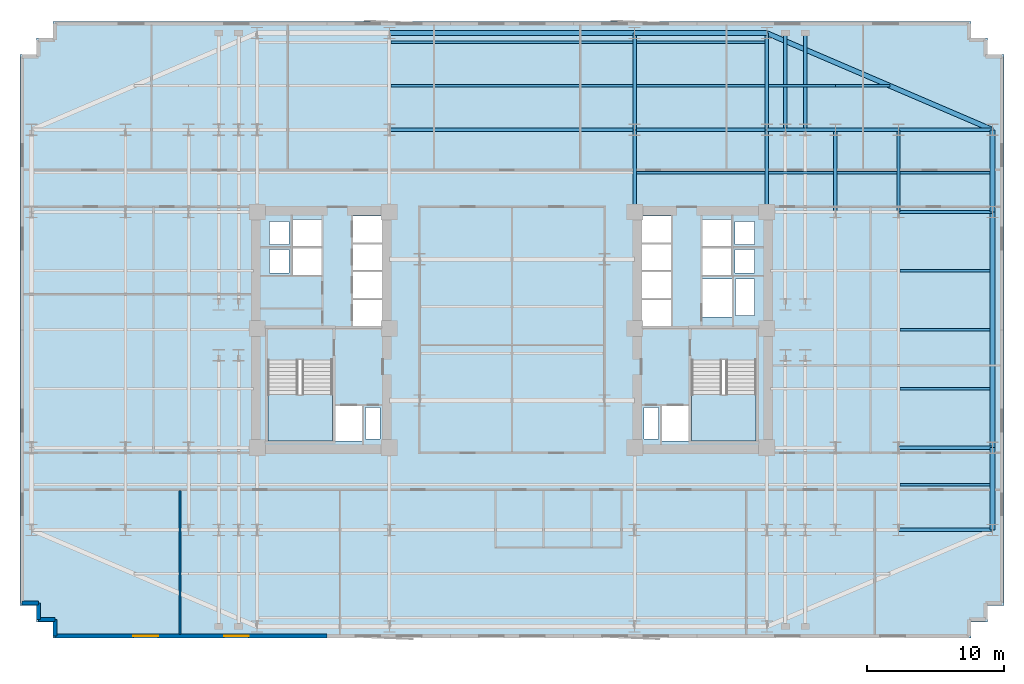
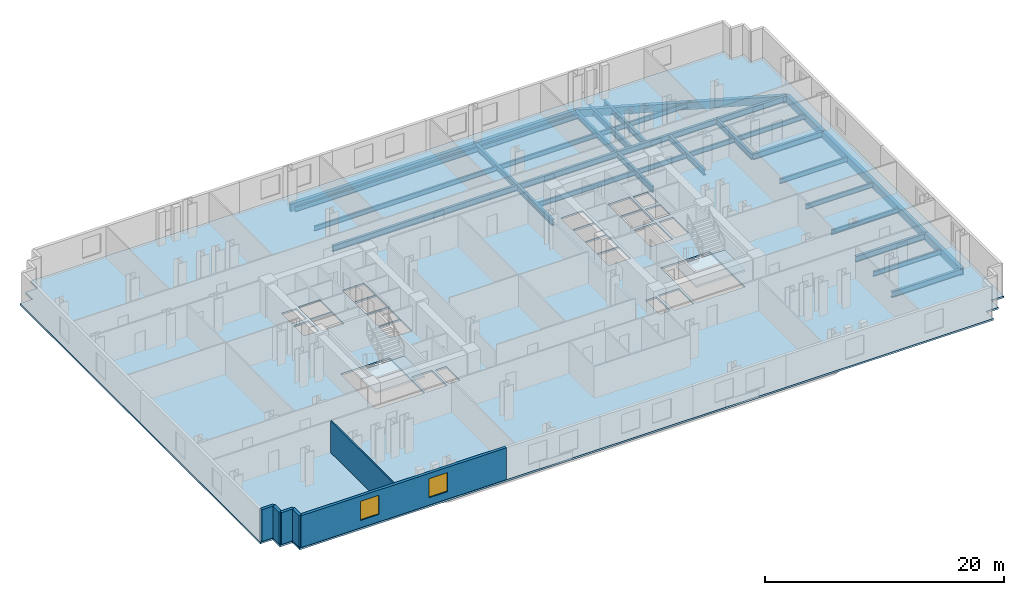
# One storey, part 3 of 10: 36 beams, 6 walls, 3 slabs, 2 windows, 2 openings, 2 elements without a shape of their own.
"""IFC4 building model written with IfcOpenShell, lengths in metres."""

from ifc_helpers import new_model, si_unit, direction, frame, frame_2d, origin, origin_2d, place, context, subcontext, project, spatial, polyline, rectangle, i_section, outline, extrude, material, layer, layer_set, material_profile, profile_set, type_object, element, fill, aggregate, save


model = new_model("IFC4")

# Units and contexts
model_context = context("Model", 3, precision=1e-05, world=origin(), true_north=direction((0.0, 1.0)))
body_context = subcontext(model_context, "Body", "Model", "MODEL_VIEW")
ifc_project = project(units=[si_unit("LENGTHUNIT", "METRE"), si_unit("AREAUNIT", "SQUARE_METRE"), si_unit("VOLUMEUNIT", "CUBIC_METRE"), si_unit("PLANEANGLEUNIT", "RADIAN"), si_unit("MASSUNIT", "GRAM", prefix="KILO")], contexts=[model_context])

# Site, building, storey
site_placement = place(None, origin())
site = spatial("IfcSite", under=ifc_project, at=site_placement, CompositionType="ELEMENT")
building_placement = place(site_placement, origin())
building = spatial("IfcBuilding", under=site, at=building_placement, Name="Velakula Bourse", CompositionType="ELEMENT")
storey_placement = place(building_placement, frame((0.0, 0.0, 58.800048828125)))
storey = spatial("IfcBuildingStorey", under=building, at=storey_placement, Name="L15", CompositionType="ELEMENT", Elevation=58.800048828125)

# Beams
ifc_material_1 = material(Name="Steel IS 2062 Grade 350 (E350)", Category="steel")
ifc_material_profile_1 = material_profile(ifc_material_1, i_section(OverallWidth=0.25, OverallDepth=0.60009765625, WebThickness=0.01171875, FlangeThickness=0.023681640625, at=origin_2d()), Name="Steel IS 2062 Grade 350 (E350)")
ifc_profile_set_1 = profile_set([ifc_material_profile_1], Name="Steel IS 2062 Grade 350 (E350)")
beam_type_1 = type_object("IfcBeamType", Name="BM-GRD-600H", PredefinedType="BEAM", material=ifc_profile_set_1)
for number, where, z_axis, x_axis, name in (
    (1, (8.949951171875, 8.60009765625, -0.47998046875), (0.0, 1.0, 0.0), (-1.0, 0.0, 0.0), "L15 Fulcrum Grid Girder FLC-ECN"),
    (2, (18.60009765625, 8.60009765625, -0.47998046875), (0.0, 1.0, 0.0), (-1.0, 0.0, 0.0), "L15 Fulcrum Grid Girder FLC-EN"),
):
    element("IfcBeam", number, at=place(storey_placement, frame(where, z_axis=z_axis, x_axis=x_axis)), inside=storey, type_object=beam_type_1, Name=name, PredefinedType="BEAM", context=body_context, shape_type="SweptSolid", body=[
        extrude(i_section(OverallWidth=0.25, OverallDepth=0.60009765625, WebThickness=0.01171875, FlangeThickness=0.023681640625, at=origin_2d()), origin(), (0.0, 0.0, 1.0), 6.0),
    ])
beam_1_placement = place(storey_placement, frame((-8.949951171875, 14.60009765625, -0.47998046875), z_axis=(1.0, 0.0, 0.0), x_axis=(0.0, 1.0, 0.0)))
element("IfcBeam", 3, at=beam_1_placement, inside=storey, type_object=beam_type_1, Name="L15 Fulcrum Grid Girder FLC-N2", PredefinedType="BEAM", context=body_context, shape_type="SweptSolid", body=[
    extrude(i_section(OverallWidth=0.25, OverallDepth=0.60009765625, WebThickness=0.01171875, FlangeThickness=0.023681640625, at=origin_2d()), origin(), (0.0, 0.0, 1.0), 17.89990234375),
])
beam_2_placement = place(storey_placement, frame((8.949951171875, 14.60009765625, -0.47998046875), z_axis=(1.0, 0.0, 0.0), x_axis=(0.0, 1.0, 0.0)))
element("IfcBeam", 4, at=beam_2_placement, inside=storey, type_object=beam_type_1, Name="L15 Fulcrum Grid Girder FLC-N3", PredefinedType="BEAM", context=body_context, shape_type="SweptSolid", body=[
    extrude(i_section(OverallWidth=0.25, OverallDepth=0.60009765625, WebThickness=0.01171875, FlangeThickness=0.023681640625, at=origin_2d()), origin(), (0.0, 0.0, 1.0), 9.650146484375),
])
beam_3_placement = place(storey_placement, frame((18.60009765625, 14.60009765625, -0.47998046875), z_axis=(1.0, 0.0, 0.0), x_axis=(0.0, 1.0, 0.0)))
element("IfcBeam", 5, at=beam_3_placement, inside=storey, type_object=beam_type_1, Name="L15 Fulcrum Grid Girder MWG-EN2", PredefinedType="BEAM", context=body_context, shape_type="SweptSolid", body=[
    extrude(i_section(OverallWidth=0.25, OverallDepth=0.60009765625, WebThickness=0.01171875, FlangeThickness=0.023681640625, at=origin_2d()), origin(), (0.0, 0.0, 1.0), 5.0),
])
beam_4_placement = place(storey_placement, frame((23.60009765625, 8.60009765625, -0.47998046875), z_axis=(0.0, 1.0, 0.0), x_axis=(-1.0, 0.0, 0.0)))
element("IfcBeam", 6, at=beam_4_placement, inside=storey, type_object=beam_type_1, Name="L15 Fulcrum Grid Girder MWG-ENS3", PredefinedType="BEAM", context=body_context, shape_type="SweptSolid", body=[
    extrude(i_section(OverallWidth=0.25, OverallDepth=0.60009765625, WebThickness=0.01171875, FlangeThickness=0.023681640625, at=origin_2d()), origin(), (0.0, 0.0, 1.0), 6.0),
])
beam_5_placement = place(storey_placement, frame((23.60009765625, 14.60009765625, -0.47998046875), z_axis=(1.0, 0.0, 0.0), x_axis=(0.0, 1.0, 0.0)))
element("IfcBeam", 7, at=beam_5_placement, inside=storey, type_object=beam_type_1, Name="L15 Fulcrum Grid Girder WNG-EN2", PredefinedType="BEAM", context=body_context, shape_type="SweptSolid", body=[
    extrude(i_section(OverallWidth=0.25, OverallDepth=0.60009765625, WebThickness=0.01171875, FlangeThickness=0.023681640625, at=origin_2d()), origin(), (0.0, 0.0, 1.0), 4.599853515625),
])
beam_6_placement = place(storey_placement, frame((28.199951171875, 8.60009765625, -0.47998046875), z_axis=(0.0, 1.0, 0.0), x_axis=(-1.0, 0.0, 0.0)))
element("IfcBeam", 8, at=beam_6_placement, inside=storey, type_object=beam_type_1, Name="L15 Fulcrum Grid Girder WNG-ENS3", PredefinedType="BEAM", context=body_context, shape_type="SweptSolid", body=[
    extrude(i_section(OverallWidth=0.25, OverallDepth=0.60009765625, WebThickness=0.01171875, FlangeThickness=0.023681640625, at=origin_2d()), origin(), (0.0, 0.0, 1.0), 6.0),
])
for number, where, z_axis, x_axis, name in (
    (9, (8.949951171875, 14.60009765625, -0.47998046875), (0.0, 1.0, 0.0), (-1.0, 0.0, 0.0), "L15 Perimeter Tie Girder N3"),
    (10, (18.60009765625, 14.60009765625, -0.47998046875), (0.0, 1.0, 0.0), (-1.0, 0.0, 0.0), "L15 Perimeter Tie Girder N4"),
):
    element("IfcBeam", number, at=place(storey_placement, frame(where, z_axis=z_axis, x_axis=x_axis)), inside=storey, type_object=beam_type_1, Name=name, PredefinedType="BEAM", context=body_context, shape_type="SweptSolid", body=[
        extrude(i_section(OverallWidth=0.25, OverallDepth=0.60009765625, WebThickness=0.01171875, FlangeThickness=0.023681640625, at=origin_2d()), origin(), (0.0, 0.0, 1.0), 7.0498046875),
    ])
for number, where, z_axis, x_axis, name in (
    (11, (28.199951171875, -14.60009765625, -0.47998046875), (1.0, 0.0, 0.0), (0.0, 1.0, 0.0), "L15 Perimeter Tie Girder E1"),
    (12, (28.199951171875, -8.60009765625, -0.47998046875), (1.0, 0.0, 0.0), (0.0, 1.0, 0.0), "L15 Perimeter Tie Girder E2"),
    (13, (28.199951171875, 8.60009765625, -0.47998046875), (1.0, 0.0, 0.0), (0.0, 1.0, 0.0), "L15 Perimeter Tie Girder E3"),
    (14, (28.199951171875, 14.60009765625, -0.47998046875), (1.0, 0.0, 0.0), (0.0, 1.0, 0.0), "L15 Perimeter Tie Girder E4"),
):
    element("IfcBeam", number, at=place(storey_placement, frame(where, z_axis=z_axis, x_axis=x_axis)), inside=storey, type_object=beam_type_1, Name=name, PredefinedType="BEAM", context=body_context, shape_type="SweptSolid", body=[
        extrude(i_section(OverallWidth=0.25, OverallDepth=0.60009765625, WebThickness=0.01171875, FlangeThickness=0.023681640625, at=origin_2d()), origin(), (0.0, 0.0, 1.0), 6.85009765625),
    ])
for number, where, z_axis, x_axis, name in (
    (15, (19.949951171875, 14.60009765625, -0.47998046875), (0.0, 1.0, 0.0), (-1.0, 0.0, 0.0), "L15 Perimeter Tie Girder P07"),
    (16, (21.39990234375, 14.60009765625, -0.47998046875), (0.0, 1.0, 0.0), (-1.0, 0.0, 0.0), "L15 Perimeter Tie Girder P08"),
):
    element("IfcBeam", number, at=place(storey_placement, frame(where, z_axis=z_axis, x_axis=x_axis)), inside=storey, type_object=beam_type_1, Name=name, PredefinedType="BEAM", context=body_context, shape_type="SweptSolid", body=[
        extrude(i_section(OverallWidth=0.25, OverallDepth=0.60009765625, WebThickness=0.01171875, FlangeThickness=0.023681640625, at=origin_2d()), origin(), (0.0, 0.0, 1.0), 7.0498046875),
    ])
ifc_material_profile_2 = material_profile(ifc_material_1, i_section(OverallWidth=0.179931640625, OverallDepth=0.5, WebThickness=0.01025390625, FlangeThickness=0.01708984375, at=origin_2d()), Name="Steel IS 2062 Grade 350 (E350)")
ifc_profile_set_2 = profile_set([ifc_material_profile_2], Name="Steel IS 2062 Grade 350 (E350)")
beam_type_2 = type_object("IfcBeamType", Name="JST-TWR-500", PredefinedType="JOIST", material=ifc_profile_set_2)
beam_7_placement = place(storey_placement, frame((28.324951171875, -11.300048828125, -0.429931640625), z_axis=(1.0, 0.0, 0.0), x_axis=(0.0, 1.0, 0.0)))
element("IfcBeam", 17, at=beam_7_placement, inside=storey, type_object=beam_type_2, Name="L15 Trading Floor Composite Joist 19", PredefinedType="JOIST", context=body_context, shape_type="SweptSolid", body=[
    extrude(i_section(OverallWidth=0.179931640625, OverallDepth=0.5, WebThickness=0.01025390625, FlangeThickness=0.01708984375, at=origin_2d()), origin(), (0.0, 0.0, 1.0), 6.550048828125),
])
beam_8_placement = place(storey_placement, frame((9.074951171875, 11.449951171875, -0.429931640625), z_axis=(1.0, 0.0, 0.0), x_axis=(0.0, 1.0, 0.0)))
element("IfcBeam", 18, at=beam_8_placement, inside=storey, type_object=beam_type_2, Name="L15 Trading Floor Composite Joist 25", PredefinedType="JOIST", context=body_context, shape_type="SweptSolid", body=[
    extrude(i_section(OverallWidth=0.179931640625, OverallDepth=0.5, WebThickness=0.01025390625, FlangeThickness=0.01708984375, at=origin_2d()), origin(), (0.0, 0.0, 1.0), 9.400146484375),
])
beam_9_placement = place(storey_placement, frame((18.72509765625, 11.449951171875, -0.429931640625), z_axis=(1.0, 0.0, 0.0), x_axis=(0.0, 1.0, 0.0)))
element("IfcBeam", 19, at=beam_9_placement, inside=storey, type_object=beam_type_2, Name="L15 Trading Floor Composite Joist 26", PredefinedType="JOIST", context=body_context, shape_type="SweptSolid", body=[
    extrude(i_section(OverallWidth=0.179931640625, OverallDepth=0.5, WebThickness=0.01025390625, FlangeThickness=0.01708984375, at=origin_2d()), origin(), (0.0, 0.0, 1.0), 4.75),
])
beam_10_placement = place(storey_placement, frame((23.72509765625, 11.449951171875, -0.429931640625), z_axis=(1.0, 0.0, 0.0), x_axis=(0.0, 1.0, 0.0)))
element("IfcBeam", 20, at=beam_10_placement, inside=storey, type_object=beam_type_2, Name="L15 Trading Floor Composite Joist 27", PredefinedType="JOIST", context=body_context, shape_type="SweptSolid", body=[
    extrude(i_section(OverallWidth=0.179931640625, OverallDepth=0.5, WebThickness=0.01025390625, FlangeThickness=0.01708984375, at=origin_2d()), origin(), (0.0, 0.0, 1.0), 4.349853515625),
])
beam_11_placement = place(storey_placement, frame((28.324951171875, 11.449951171875, -0.429931640625), z_axis=(1.0, 0.0, 0.0), x_axis=(0.0, 1.0, 0.0)))
element("IfcBeam", 21, at=beam_11_placement, inside=storey, type_object=beam_type_2, Name="L15 Trading Floor Composite Joist 28", PredefinedType="JOIST", context=body_context, shape_type="SweptSolid", body=[
    extrude(i_section(OverallWidth=0.179931640625, OverallDepth=0.5, WebThickness=0.01025390625, FlangeThickness=0.01708984375, at=origin_2d()), origin(), (0.0, 0.0, 1.0), 6.550048828125),
])
beam_12_placement = place(storey_placement, frame((-8.824951171875, 17.800048828125, -0.429931640625), z_axis=(1.0, 0.0, 0.0), x_axis=(0.0, 1.0, 0.0)))
element("IfcBeam", 22, at=beam_12_placement, inside=storey, type_object=beam_type_2, Name="L15 Trading Floor Composite Joist 32", PredefinedType="JOIST", context=body_context, shape_type="SweptSolid", body=[
    extrude(i_section(OverallWidth=0.179931640625, OverallDepth=0.5, WebThickness=0.01025390625, FlangeThickness=0.01708984375, at=origin_2d()), origin(), (0.0, 0.0, 1.0), 17.64990234375),
])
beam_13_placement = place(storey_placement, frame((9.074951171875, 17.800048828125, -0.429931640625), z_axis=(1.0, 0.0, 0.0), x_axis=(0.0, 1.0, 0.0)))
element("IfcBeam", 23, at=beam_13_placement, inside=storey, type_object=beam_type_2, Name="L15 Trading Floor Composite Joist 33", PredefinedType="JOIST", context=body_context, shape_type="SweptSolid", body=[
    extrude(i_section(OverallWidth=0.179931640625, OverallDepth=0.5, WebThickness=0.01025390625, FlangeThickness=0.01708984375, at=origin_2d()), origin(), (0.0, 0.0, 1.0), 9.400146484375),
])
beam_14_placement = place(storey_placement, frame((18.72509765625, 17.800048828125, -0.429931640625), z_axis=(1.0, 0.0, 0.0), x_axis=(0.0, 1.0, 0.0)))
element("IfcBeam", 24, at=beam_14_placement, inside=storey, type_object=beam_type_2, Name="L15 Trading Floor Composite Joist 34", PredefinedType="JOIST", context=body_context, shape_type="SweptSolid", body=[
    extrude(i_section(OverallWidth=0.179931640625, OverallDepth=0.5, WebThickness=0.01025390625, FlangeThickness=0.01708984375, at=origin_2d()), origin(), (0.0, 0.0, 1.0), 4.875),
])
beam_15_placement = place(storey_placement, frame((23.60009765625, 17.800048828125, -0.429931640625), z_axis=(1.0, 0.0, 0.0), x_axis=(0.0, 1.0, 0.0)))
element("IfcBeam", 25, at=beam_15_placement, inside=storey, type_object=beam_type_2, Name="L15 Trading Floor Composite Joist 35", PredefinedType="JOIST", context=body_context, shape_type="SweptSolid", body=[
    extrude(i_section(OverallWidth=0.179931640625, OverallDepth=0.5, WebThickness=0.01025390625, FlangeThickness=0.01708984375, at=origin_2d()), origin(), (0.0, 0.0, 1.0), 3.983154296875),
])
beam_16_placement = place(storey_placement, frame((-8.824951171875, 21.0, -0.429931640625), z_axis=(1.0, 0.0, 0.0), x_axis=(0.0, 1.0, 0.0)))
element("IfcBeam", 26, at=beam_16_placement, inside=storey, type_object=beam_type_2, Name="L15 Trading Floor Composite Joist 37", PredefinedType="JOIST", context=body_context, shape_type="SweptSolid", body=[
    extrude(i_section(OverallWidth=0.179931640625, OverallDepth=0.5, WebThickness=0.01025390625, FlangeThickness=0.01708984375, at=origin_2d()), origin(), (0.0, 0.0, 1.0), 17.64990234375),
])
beam_17_placement = place(storey_placement, frame((9.074951171875, 21.0, -0.429931640625), z_axis=(1.0, 0.0, 0.0), x_axis=(0.0, 1.0, 0.0)))
element("IfcBeam", 27, at=beam_17_placement, inside=storey, type_object=beam_type_2, Name="L15 Trading Floor Composite Joist 38", PredefinedType="JOIST", context=body_context, shape_type="SweptSolid", body=[
    extrude(i_section(OverallWidth=0.179931640625, OverallDepth=0.5, WebThickness=0.01025390625, FlangeThickness=0.01708984375, at=origin_2d()), origin(), (0.0, 0.0, 1.0), 9.400146484375),
])
for number, where, z_axis, x_axis, name in (
    (28, (28.324951171875, -4.300048828125, -0.429931640625), (1.0, 0.0, 0.0), (0.0, 1.0, 0.0), "L15 Trading Floor Composite Joist 46"),
    (29, (28.324951171875, 0.0, -0.429931640625), (1.0, 0.0, 0.0), (0.0, 1.0, 0.0), "L15 Trading Floor Composite Joist 52"),
    (30, (28.324951171875, 4.300048828125, -0.429931640625), (1.0, 0.0, 0.0), (0.0, 1.0, 0.0), "L15 Trading Floor Composite Joist 58"),
):
    element("IfcBeam", number, at=place(storey_placement, frame(where, z_axis=z_axis, x_axis=x_axis)), inside=storey, type_object=beam_type_2, Name=name, PredefinedType="JOIST", context=body_context, shape_type="SweptSolid", body=[
        extrude(i_section(OverallWidth=0.179931640625, OverallDepth=0.5, WebThickness=0.01025390625, FlangeThickness=0.01708984375, at=origin_2d()), origin(), (0.0, 0.0, 1.0), 6.550048828125),
    ])
ifc_material_2 = material(Name="Precast concrete M45 (fck 45 MPa)", Category="concrete")
ifc_material_profile_3 = material_profile(ifc_material_2, rectangle(XDim=0.35009765625, YDim=0.75, at=origin_2d()), Name="Precast concrete M45 (fck 45 MPa)")
ifc_profile_set_3 = profile_set([ifc_material_profile_3], Name="Precast concrete M45 (fck 45 MPa)")
beam_type_3 = type_object("IfcBeamType", Name="SPN-BRICK-750", PredefinedType="SPANDREL", material=ifc_profile_set_3)
beam_18_placement = place(storey_placement, frame((-8.949951171875, 21.64990234375, -0.554931640625), z_axis=(1.0, 0.0, 0.0), x_axis=(0.0, 1.0, 0.0)))
element("IfcBeam", 31, at=beam_18_placement, inside=storey, type_object=beam_type_3, Name="L15 Brick-Faced Precast Spandrel N2-N3", PredefinedType="SPANDREL", context=body_context, shape_type="SweptSolid", body=[
    extrude(rectangle(XDim=0.35009765625, YDim=0.75, at=origin_2d()), origin(), (0.0, 0.0, 1.0), 17.89990234375),
])
beam_19_placement = place(storey_placement, frame((8.949951171875, 21.64990234375, -0.554931640625), z_axis=(1.0, 0.0, 0.0), x_axis=(0.0, 1.0, 0.0)))
element("IfcBeam", 32, at=beam_19_placement, inside=storey, type_object=beam_type_3, Name="L15 Brick-Faced Precast Spandrel N3-N4", PredefinedType="SPANDREL", context=body_context, shape_type="SweptSolid", body=[
    extrude(rectangle(XDim=0.35009765625, YDim=0.75, at=origin_2d()), origin(), (0.0, 0.0, 1.0), 9.650146484375),
])
beam_20_placement = place(storey_placement, frame((35.050048828125, -14.60009765625, -0.554931640625), z_axis=(0.0, 1.0, 0.0), x_axis=(-1.0, 0.0, 0.0)))
element("IfcBeam", 33, at=beam_20_placement, inside=storey, type_object=beam_type_3, Name="L15 Brick-Faced Precast Spandrel E1-E2", PredefinedType="SPANDREL", context=body_context, shape_type="SweptSolid", body=[
    extrude(rectangle(XDim=0.35009765625, YDim=0.75, at=origin_2d()), origin(), (0.0, 0.0, 1.0), 6.0),
])
beam_21_placement = place(storey_placement, frame((35.050048828125, -8.60009765625, -0.554931640625), z_axis=(0.0, 1.0, 0.0), x_axis=(-1.0, 0.0, 0.0)))
element("IfcBeam", 34, at=beam_21_placement, inside=storey, type_object=beam_type_3, Name="L15 Brick-Faced Precast Spandrel E2-E3", PredefinedType="SPANDREL", context=body_context, shape_type="SweptSolid", body=[
    extrude(rectangle(XDim=0.35009765625, YDim=0.75, at=origin_2d()), origin(), (0.0, 0.0, 1.0), 17.2001953125),
])
beam_22_placement = place(storey_placement, frame((35.050048828125, 8.60009765625, -0.554931640625), z_axis=(0.0, 1.0, 0.0), x_axis=(-1.0, 0.0, 0.0)))
element("IfcBeam", 35, at=beam_22_placement, inside=storey, type_object=beam_type_3, Name="L15 Brick-Faced Precast Spandrel E3-E4", PredefinedType="SPANDREL", context=body_context, shape_type="SweptSolid", body=[
    extrude(rectangle(XDim=0.35009765625, YDim=0.75, at=origin_2d()), origin(), (0.0, 0.0, 1.0), 6.0),
])
beam_23_placement = place(storey_placement, frame((35.050048828125, 14.60009765625, -0.554931640625), z_axis=(-0.919148557947, 0.393911066642, 0.0), x_axis=(-0.393911066642, -0.919148557947, 0.0)))
element("IfcBeam", 36, at=beam_23_placement, inside=storey, type_object=beam_type_3, Name="L15 Brick-Faced Precast Spandrel E4-N4", PredefinedType="SPANDREL", context=body_context, shape_type="SweptSolid", body=[
    extrude(rectangle(XDim=0.35009765625, YDim=0.75, at=origin_2d()), origin(), (0.0, 0.0, 1.0), 17.89697265625),
])

# Stair, slab
ifc_material_3 = material(Name="Concrete M45 (fck 45 MPa)", Category="concrete")
stair_type = type_object("IfcStairType", Name="STR-DOG-390", PredefinedType="HALF_TURN_STAIR", material=ifc_material_3)
stair_1_placement = place(storey_placement, origin())
stair_1 = element("IfcStair", 37, at=stair_1_placement, inside=storey, type_object=stair_type, Name="L15 West Core Exit Stair ST-W1", PredefinedType="HALF_TURN_STAIR")
ifc_layer_1 = layer(ifc_material_3, 0.199951171875, Name="Concrete M45 (fck 45 MPa)", Category="concrete")
ifc_layer_set_1 = layer_set([ifc_layer_1], Name="Concrete M45 (fck 45 MPa)")
slab_type_1 = type_object("IfcSlabType", Name="SLB-STAIR-LND-200", PredefinedType="LANDING", material=ifc_layer_set_1)
slab_1_placement = place(storey_placement, frame((0.0, 0.0, 1.52490234375)))
slab_1 = element("IfcSlab", 38, at=slab_1_placement, type_object=slab_type_1, Name="ST-W1 landing 1", PredefinedType="LANDING", context=body_context, shape_type="SweptSolid", body=[
    extrude(outline(polyline([(-17.820068359375, -4.719970703125), (-17.820068359375, -8.10009765625), (-13.10009765625, -8.10009765625), (-13.10009765625, -4.719970703125), (-17.820068359375, -4.719970703125)])), origin(), (0.0, 0.0, 1.0), 0.199951171875),
])
aggregate(stair_1, [slab_1])

stair_2_placement = place(storey_placement, origin())
stair_2 = element("IfcStair", 39, at=stair_2_placement, inside=storey, type_object=stair_type, Name="L15 East Core Exit Stair ST-E1", PredefinedType="HALF_TURN_STAIR")
slab_2_placement = place(storey_placement, frame((0.0, 0.0, 1.52490234375)))
slab_2 = element("IfcSlab", 40, at=slab_2_placement, type_object=slab_type_1, Name="ST-E1 landing 1", PredefinedType="LANDING", context=body_context, shape_type="SweptSolid", body=[
    extrude(outline(polyline([(13.10009765625, -4.719970703125), (13.10009765625, -8.10009765625), (17.820068359375, -8.10009765625), (17.820068359375, -4.719970703125), (13.10009765625, -4.719970703125)])), origin(), (0.0, 0.0, 1.0), 0.199951171875),
])
aggregate(stair_2, [slab_2])

# Slab
ifc_material_4 = material(Name="Concrete M50 (fck 50 MPa)", Category="concrete")
ifc_layer_2 = layer(ifc_material_4, 0.179931640625, Name="Concrete M50 (fck 50 MPa)", Category="concrete")
ifc_layer_set_2 = layer_set([ifc_layer_2], Name="Concrete M50 (fck 50 MPa)")
slab_type_2 = type_object("IfcSlabType", Name="SLB-TWR-180", PredefinedType="FLOOR", material=ifc_layer_set_2)
slab_3_placement = place(storey_placement, frame((0.0, 0.0, -0.179931640625)))
element("IfcSlab", 41, at=slab_3_placement, inside=storey, type_object=slab_type_2, Name="L15 Suspended Structural Floor Slab", PredefinedType="FLOOR", context=body_context, shape_type="SweptSolid", body=[
    extrude(outline(polyline([(-33.5, -22.5), (33.5, -22.5), (33.5, -21.300048828125), (34.699951171875, -21.300048828125), (34.699951171875, -20.10009765625), (35.89990234375, -20.10009765625), (35.89990234375, 20.10009765625), (34.699951171875, 20.10009765625), (34.699951171875, 21.300048828125), (33.5, 21.300048828125), (33.5, 22.5), (-33.5, 22.5), (-33.5, 21.300048828125), (-34.699951171875, 21.300048828125), (-34.699951171875, 20.10009765625), (-35.89990234375, 20.10009765625), (-35.89990234375, -20.10009765625), (-34.699951171875, -20.10009765625), (-34.699951171875, -21.300048828125), (-33.5, -21.300048828125), (-33.5, -22.5)]), holes=[polyline([(-17.820068359375, -8.10009765625), (-13.10009765625, -8.10009765625), (-13.10009765625, -2.199951171875), (-17.820068359375, -2.199951171875), (-17.820068359375, -8.10009765625)]), polyline([(13.10009765625, -8.10009765625), (17.820068359375, -8.10009765625), (17.820068359375, -2.199951171875), (13.10009765625, -2.199951171875), (13.10009765625, -8.10009765625)]), polyline([(-12.89990234375, -8.10009765625), (-10.949951171875, -8.10009765625), (-10.949951171875, -5.550048828125), (-12.89990234375, -5.550048828125), (-12.89990234375, -8.10009765625)]), polyline([(10.949951171875, -8.10009765625), (12.89990234375, -8.10009765625), (12.89990234375, -5.550048828125), (10.949951171875, -5.550048828125), (10.949951171875, -8.10009765625)]), polyline([(13.89990234375, 0.919921875), (16.050048828125, 0.919921875), (16.050048828125, 3.719970703125), (13.89990234375, 3.719970703125), (13.89990234375, 0.919921875)]), polyline([(-10.679931640625, -7.97998046875), (-9.6201171875, -7.97998046875), (-9.6201171875, -5.669921875), (-10.679931640625, -5.669921875), (-10.679931640625, -7.97998046875)]), polyline([(-17.679931640625, 4.139892578125), (-16.27001953125, 4.139892578125), (-16.27001953125, 5.85009765625), (-17.679931640625, 5.85009765625), (-17.679931640625, 4.139892578125)]), polyline([(-17.679931640625, 6.2099609375), (-16.27001953125, 6.2099609375), (-16.27001953125, 7.919921875), (-17.679931640625, 7.919921875), (-17.679931640625, 6.2099609375)]), polyline([(9.6201171875, -7.97998046875), (10.679931640625, -7.97998046875), (10.679931640625, -5.669921875), (9.6201171875, -5.669921875), (9.6201171875, -7.97998046875)]), polyline([(16.27001953125, 4.139892578125), (17.679931640625, 4.139892578125), (17.679931640625, 5.85009765625), (16.27001953125, 5.85009765625), (16.27001953125, 4.139892578125)]), polyline([(16.27001953125, 6.2099609375), (17.679931640625, 6.2099609375), (17.679931640625, 7.919921875), (16.27001953125, 7.919921875), (16.27001953125, 6.2099609375)]), polyline([(16.320068359375, 1.0400390625), (17.679931640625, 1.0400390625), (17.679931640625, 3.699951171875), (16.320068359375, 3.699951171875), (16.320068359375, 1.0400390625)]), polyline([(-11.60009765625, 0.280029296875), (-9.5, 0.280029296875), (-9.5, 2.199951171875), (-11.60009765625, 2.199951171875), (-11.60009765625, 0.280029296875)]), polyline([(-11.60009765625, 2.31005859375), (-9.5, 2.31005859375), (-9.5, 4.22998046875), (-11.60009765625, 4.22998046875), (-11.60009765625, 2.31005859375)]), polyline([(-11.60009765625, 4.340087890625), (-9.5, 4.340087890625), (-9.5, 6.260009765625), (-11.60009765625, 6.260009765625), (-11.60009765625, 4.340087890625)]), polyline([(-11.60009765625, 6.3701171875), (-9.5, 6.3701171875), (-9.5, 8.2900390625), (-11.60009765625, 8.2900390625), (-11.60009765625, 6.3701171875)]), polyline([(9.5, 0.280029296875), (11.60009765625, 0.280029296875), (11.60009765625, 2.199951171875), (9.5, 2.199951171875), (9.5, 0.280029296875)]), polyline([(9.5, 2.31005859375), (11.60009765625, 2.31005859375), (11.60009765625, 4.22998046875), (9.5, 4.22998046875), (9.5, 2.31005859375)]), polyline([(9.5, 4.340087890625), (11.60009765625, 4.340087890625), (11.60009765625, 6.260009765625), (9.5, 6.260009765625), (9.5, 4.340087890625)]), polyline([(9.5, 6.3701171875), (11.60009765625, 6.3701171875), (11.60009765625, 8.2900390625), (9.5, 8.2900390625), (9.5, 6.3701171875)]), polyline([(-16.0, 4.02001953125), (-13.89990234375, 4.02001953125), (-13.89990234375, 5.969970703125), (-16.0, 5.969970703125), (-16.0, 4.02001953125)]), polyline([(-16.0, 6.090087890625), (-13.89990234375, 6.090087890625), (-13.89990234375, 8.0400390625), (-16.0, 8.0400390625), (-16.0, 6.090087890625)]), polyline([(13.89990234375, 4.02001953125), (16.0, 4.02001953125), (16.0, 5.969970703125), (13.89990234375, 5.969970703125), (13.89990234375, 4.02001953125)]), polyline([(13.89990234375, 6.090087890625), (16.0, 6.090087890625), (16.0, 8.0400390625), (13.89990234375, 8.0400390625), (13.89990234375, 6.090087890625)])]), origin(), (0.0, 0.0, 1.0), 0.179931640625),
])

# Wall, openings, windows
ifc_material_5 = material(Name="Red kilned clay facing brick masonry", Category="masonry")
ifc_layer_3 = layer(ifc_material_5, 0.280029296875, Name="Red kilned clay facing brick masonry", Category="masonry")
ifc_layer_set_3 = layer_set([ifc_layer_3], Name="Red kilned clay facing brick masonry")
wall_type_1 = type_object("IfcWallType", Name="WL-EXT-BRK-280", PredefinedType="STANDARD", material=ifc_layer_set_3)
wall_1_placement = place(storey_placement, frame((-13.5, -22.340087890625, 0.0), z_axis=(0.0, 0.0, 1.0), x_axis=(-1.0, 0.0, 0.0)))
wall_1 = element("IfcWall", 42, at=wall_1_placement, inside=storey, type_object=wall_type_1, Name="L15 S Brick Spandrel Wall B1", PredefinedType="STANDARD", context=body_context, shape_type="SweptSolid", body=[
    extrude(rectangle(XDim=19.840087890625, YDim=0.280029296875, at=frame_2d((9.919921875, 0.0))), origin(), (0.0, 0.0, 1.0), 3.25),
])
opening_1_placement = place(wall_1_placement, frame((5.71337890625, 0.0, 0.760009765625)))
opening_1 = element("IfcOpeningElement", 43, at=opening_1_placement, cuts=wall_1, Name="Opening W-01", PredefinedType="OPENING", context=body_context, shape_type="SweptSolid", body=[
    extrude(rectangle(XDim=1.800048828125, YDim=1.949951171875, at=frame_2d((0.89990234375, 0.97509765625))), frame((0.0, 0.14990234375, 0.0), z_axis=(0.0, -1.0, 0.0), x_axis=(1.0, 0.0, 0.0)), (0.0, 0.0, 1.0), 0.300048828125),
])
opening_2_placement = place(wall_1_placement, frame((12.32666015625, 0.0, 0.760009765625)))
opening_2 = element("IfcOpeningElement", 44, at=opening_2_placement, cuts=wall_1, Name="Opening W-01", PredefinedType="OPENING", context=body_context, shape_type="SweptSolid", body=[
    extrude(rectangle(XDim=1.800048828125, YDim=1.949951171875, at=frame_2d((0.89990234375, 0.97509765625))), frame((0.0, 0.14990234375, 0.0), z_axis=(0.0, -1.0, 0.0), x_axis=(1.0, 0.0, 0.0)), (0.0, 0.0, 1.0), 0.300048828125),
])
ifc_material_6 = material(Name="Double-glazed solar-control Low-E glass", Category="glass")
window_type = type_object("IfcWindowType", Name="WIN-TWR-1800x2100", PartitioningType="SINGLE_PANEL", PredefinedType="WINDOW", material=ifc_material_6)
window_1_placement = place(opening_1_placement, origin())
window_1 = element("IfcWindow", 45, at=window_1_placement, inside=storey, type_object=window_type, Name="L15 Deep-Set Recessed Window 1", OverallHeight=1.949951171875, OverallWidth=1.800048828125, PartitioningType="SINGLE_PANEL", PredefinedType="WINDOW", context=body_context, shape_type="SweptSolid", body=[
    extrude(rectangle(XDim=1.800048828125, YDim=1.949951171875, at=frame_2d((0.89990234375, 0.97509765625))), frame((0.0, 0.030029296875, 0.0), z_axis=(0.0, -1.0, 0.0), x_axis=(1.0, 0.0, 0.0)), (0.0, 0.0, 1.0), 0.06005859375),
])
fill(opening_1, window_1)
window_2_placement = place(opening_2_placement, origin())
window_2 = element("IfcWindow", 46, at=window_2_placement, inside=storey, type_object=window_type, Name="L15 Deep-Set Recessed Window 2", OverallHeight=1.949951171875, OverallWidth=1.800048828125, PartitioningType="SINGLE_PANEL", PredefinedType="WINDOW", context=body_context, shape_type="SweptSolid", body=[
    extrude(rectangle(XDim=1.800048828125, YDim=1.949951171875, at=frame_2d((0.89990234375, 0.97509765625))), frame((0.0, 0.030029296875, 0.0), z_axis=(0.0, -1.0, 0.0), x_axis=(1.0, 0.0, 0.0)), (0.0, 0.0, 1.0), 0.06005859375),
])
fill(opening_2, window_2)

# Walls
for number, where, z_axis, x_axis, name in (
    (47, (-35.739990234375, -19.93994140625, 0.0), (0.0, 0.0, 1.0), (1.0, 0.0, 0.0), "L15 Serrated Corner Brick Wall SW-1"),
    (48, (-34.5400390625, -19.93994140625, 0.0), (0.0, 0.0, 1.0), (0.0, -1.0, 0.0), "L15 Serrated Corner Brick Wall SW-2"),
    (49, (-34.5400390625, -21.139892578125, 0.0), (0.0, 0.0, 1.0), (1.0, 0.0, 0.0), "L15 Serrated Corner Brick Wall SW-3"),
):
    element("IfcWall", number, at=place(storey_placement, frame(where, z_axis=z_axis, x_axis=x_axis)), inside=storey, type_object=wall_type_1, Name=name, PredefinedType="STANDARD", context=body_context, shape_type="SweptSolid", body=[
        extrude(rectangle(XDim=1.199951171875, YDim=0.280029296875, at=frame_2d((0.60009765625, 0.0))), origin(), (0.0, 0.0, 1.0), 3.25),
    ])
wall_2_placement = place(storey_placement, frame((-33.340087890625, -21.139892578125, 0.0), z_axis=(0.0, 0.0, 1.0), x_axis=(0.0, -1.0, 0.0)))
element("IfcWall", 50, at=wall_2_placement, inside=storey, type_object=wall_type_1, Name="L15 Serrated Corner Brick Wall SW-4", PredefinedType="STANDARD", context=body_context, shape_type="SweptSolid", body=[
    extrude(rectangle(XDim=1.2001953125, YDim=0.280029296875, at=frame_2d((0.60009765625, 0.0))), origin(), (0.0, 0.0, 1.0), 3.25),
])
ifc_material_7 = material(Name="Fire-rated double-layer gypsum drywall partition", Category="gypsum")
ifc_layer_4 = layer(ifc_material_7, 0.1201171875, Name="Fire-rated double-layer gypsum drywall partition", Category="gypsum")
ifc_layer_set_4 = layer_set([ifc_layer_4], Name="Fire-rated double-layer gypsum drywall partition")
wall_type_2 = type_object("IfcWallType", Name="WL-PART-120", PredefinedType="STANDARD", material=ifc_layer_set_4)
wall_3_placement = place(storey_placement, frame((-24.220947265625, -22.219970703125, 0.0), z_axis=(0.0, 0.0, 1.0), x_axis=(0.0, 1.0, 0.0)))
element("IfcWall", 51, at=wall_3_placement, inside=storey, type_object=wall_type_2, Name="L15 Interior Partition WL-INT-L15-SL-D5", PredefinedType="STANDARD", context=body_context, shape_type="SweptSolid", body=[
    extrude(rectangle(XDim=10.47998046875, YDim=0.1201171875, at=frame_2d((5.239990234375, 0.0))), origin(), (0.0, 0.0, 1.0), 3.25),
])

save(model, "model.ifc")
